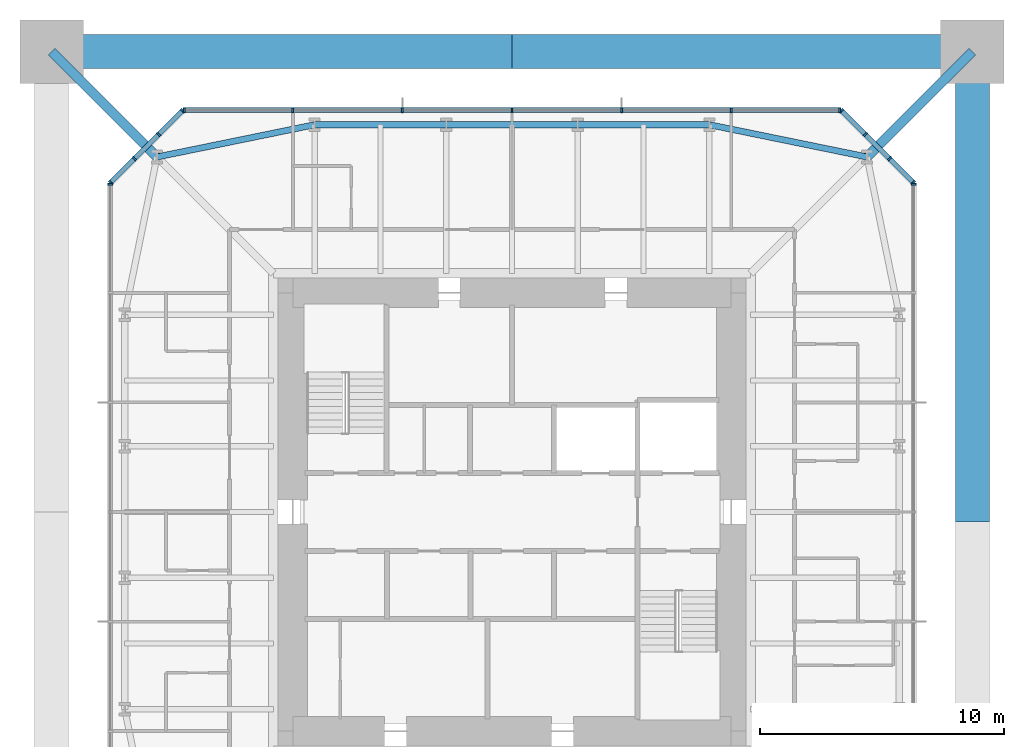
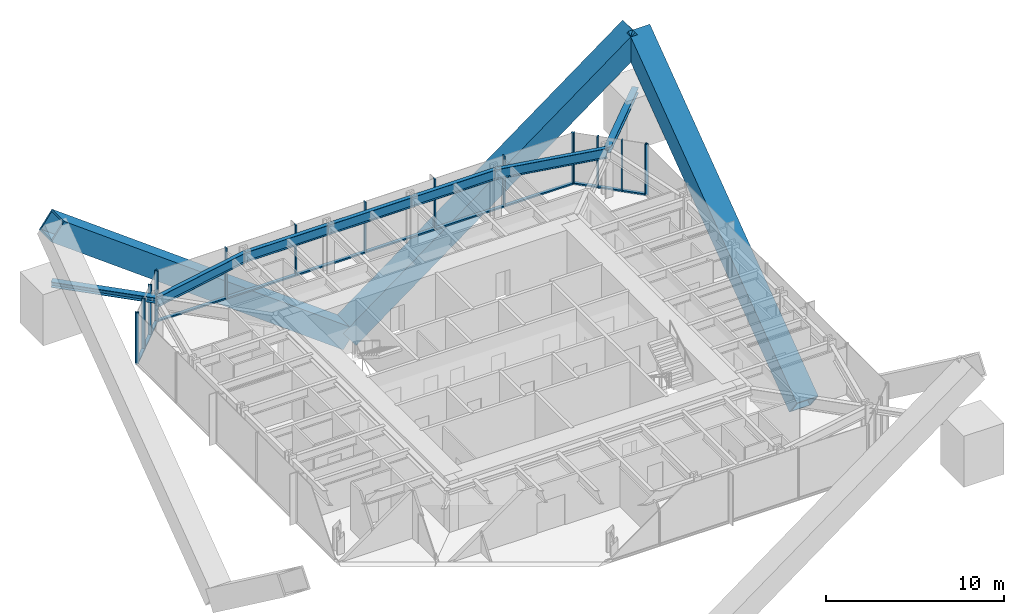
# One storey, part 5 of 10: 34 members, 5 beams, 5 elements without a shape of their own.
"""IFC4 building model written with IfcOpenShell, lengths in metres."""

from ifc_helpers import new_model, si_unit, direction, frame, origin, origin_2d, place, context, subcontext, project, spatial, rectangle, hollow_rectangle, i_section, extrude, material, material_profile, profile_set, type_object, element, aggregate, save


model = new_model("IFC4")

# Units and contexts
model_context = context("Model", 3, precision=1e-05, world=origin(), true_north=direction((0.0, 1.0)))
body_context = subcontext(model_context, "Body", "Model", "MODEL_VIEW")
ifc_project = project(units=[si_unit("LENGTHUNIT", "METRE"), si_unit("AREAUNIT", "SQUARE_METRE"), si_unit("VOLUMEUNIT", "CUBIC_METRE"), si_unit("PLANEANGLEUNIT", "RADIAN"), si_unit("MASSUNIT", "GRAM", prefix="KILO")], contexts=[model_context])

# Site, building, storey
site_placement = place(None, origin())
site = spatial("IfcSite", under=ifc_project, at=site_placement, CompositionType="ELEMENT")
building_placement = place(site_placement, origin())
building = spatial("IfcBuilding", under=site, at=building_placement, Name="Iwan Alto Co-Living Towers", CompositionType="ELEMENT")
storey_placement = place(building_placement, frame((0.0, 0.0, 260.5)))
storey = spatial("IfcBuildingStorey", under=building, at=storey_placement, Name="L71", CompositionType="ELEMENT", Elevation=260.5)

# Curtain wall, member
ifc_material_1 = material(Name="Bronze aluminium unitised frame", Category="aluminium")
curtain_wall_type_1 = type_object("IfcCurtainWallType", Name="CURTAIN WALL CW-A", PredefinedType="NOTDEFINED", material=ifc_material_1)
curtain_wall_1_placement = place(storey_placement, origin())
curtain_wall_1 = element("IfcCurtainWall", 1, at=curtain_wall_1_placement, inside=storey, type_object=curtain_wall_type_1, Name="T1 curtain wall E L71", PredefinedType="NOTDEFINED")
ifc_material_2 = material(Name="Aluminium 6063-T6 bronze anodised", Category="aluminium")
ifc_material_profile_1 = material_profile(ifc_material_2, rectangle(XDim=0.199951171875, YDim=0.080078125, at=origin_2d()), Name="AL 80X200")
ifc_profile_set_1 = profile_set([ifc_material_profile_1], Name="Aluminium 6063-T6 bronze anodised")
member_type_1 = type_object("IfcMemberType", Name="CW-A MULLION 80X200", PredefinedType="MULLION", material=ifc_profile_set_1)
member_1_placement = place(storey_placement, frame((16.5, 13.4599609375, 0.0), z_axis=(0.0, 0.0, 1.0), x_axis=(-1.0, 0.0, 0.0)))
member_1 = element("IfcMember", 2, at=member_1_placement, type_object=member_type_1, Name="CW-A mullion 7", PredefinedType="MULLION", context=body_context, shape_type="SweptSolid", body=[
    extrude(rectangle(XDim=0.199951171875, YDim=0.080078125, at=origin_2d()), origin(), (0.0, 0.0, 1.0), 3.5),
])
aggregate(curtain_wall_1, [member_1])

# Curtain wall, members
curtain_wall_2_placement = place(storey_placement, origin())
curtain_wall_2 = element("IfcCurtainWall", 3, at=curtain_wall_2_placement, inside=storey, type_object=curtain_wall_type_1, Name="T1 curtain wall N L71", PredefinedType="NOTDEFINED")
member_2_placement = place(storey_placement, frame((13.4599609375, 16.5, 0.0), z_axis=(0.0, 0.0, 1.0), x_axis=(0.0, -1.0, 0.0)))
member_2 = element("IfcMember", 4, at=member_2_placement, type_object=member_type_1, Name="CW-A mullion 1", PredefinedType="MULLION", context=body_context, shape_type="SweptSolid", body=[
    extrude(rectangle(XDim=0.199951171875, YDim=0.080078125, at=origin_2d()), origin(), (0.0, 0.0, 1.0), 3.5),
])
member_3_placement = place(storey_placement, frame((9.0, 16.5, 0.0), z_axis=(0.0, 0.0, 1.0), x_axis=(0.0, -1.0, 0.0)))
member_3 = element("IfcMember", 5, at=member_3_placement, type_object=member_type_1, Name="CW-A mullion 2", PredefinedType="MULLION", context=body_context, shape_type="SweptSolid", body=[
    extrude(rectangle(XDim=0.199951171875, YDim=0.080078125, at=origin_2d()), origin(), (0.0, 0.0, 1.0), 3.5),
])
member_4_placement = place(storey_placement, frame((4.5, 16.5, 0.0), z_axis=(0.0, 0.0, 1.0), x_axis=(0.0, -1.0, 0.0)))
member_4 = element("IfcMember", 6, at=member_4_placement, type_object=member_type_1, Name="CW-A mullion 3", PredefinedType="MULLION", context=body_context, shape_type="SweptSolid", body=[
    extrude(rectangle(XDim=0.199951171875, YDim=0.080078125, at=origin_2d()), origin(), (0.0, 0.0, 1.0), 3.5),
])
member_5_placement = place(storey_placement, frame((0.0, 16.5, 0.0), z_axis=(0.0, 0.0, 1.0), x_axis=(0.0, -1.0, 0.0)))
member_5 = element("IfcMember", 7, at=member_5_placement, type_object=member_type_1, Name="CW-A mullion 4", PredefinedType="MULLION", context=body_context, shape_type="SweptSolid", body=[
    extrude(rectangle(XDim=0.199951171875, YDim=0.080078125, at=origin_2d()), origin(), (0.0, 0.0, 1.0), 3.5),
])
member_6_placement = place(storey_placement, frame((-4.5, 16.5, 0.0), z_axis=(0.0, 0.0, 1.0), x_axis=(0.0, -1.0, 0.0)))
member_6 = element("IfcMember", 8, at=member_6_placement, type_object=member_type_1, Name="CW-A mullion 5", PredefinedType="MULLION", context=body_context, shape_type="SweptSolid", body=[
    extrude(rectangle(XDim=0.199951171875, YDim=0.080078125, at=origin_2d()), origin(), (0.0, 0.0, 1.0), 3.5),
])
member_7_placement = place(storey_placement, frame((-9.0, 16.5, 0.0), z_axis=(0.0, 0.0, 1.0), x_axis=(0.0, -1.0, 0.0)))
member_7 = element("IfcMember", 9, at=member_7_placement, type_object=member_type_1, Name="CW-A mullion 6", PredefinedType="MULLION", context=body_context, shape_type="SweptSolid", body=[
    extrude(rectangle(XDim=0.199951171875, YDim=0.080078125, at=origin_2d()), origin(), (0.0, 0.0, 1.0), 3.5),
])
member_8_placement = place(storey_placement, frame((-13.4599609375, 16.5, 0.0), z_axis=(0.0, 0.0, 1.0), x_axis=(0.0, -1.0, 0.0)))
member_8 = element("IfcMember", 10, at=member_8_placement, type_object=member_type_1, Name="CW-A mullion 7", PredefinedType="MULLION", context=body_context, shape_type="SweptSolid", body=[
    extrude(rectangle(XDim=0.199951171875, YDim=0.080078125, at=origin_2d()), origin(), (0.0, 0.0, 1.0), 3.5),
])

# Curtain wall, member
curtain_wall_3_placement = place(storey_placement, origin())
curtain_wall_3 = element("IfcCurtainWall", 11, at=curtain_wall_3_placement, inside=storey, type_object=curtain_wall_type_1, Name="T1 curtain wall W L71", PredefinedType="NOTDEFINED")
member_9_placement = place(storey_placement, frame((-16.5, 13.4599609375, 0.0), z_axis=(0.0, 0.0, 1.0), x_axis=(1.0, 0.0, 0.0)))
member_9 = element("IfcMember", 12, at=member_9_placement, type_object=member_type_1, Name="CW-A mullion 1", PredefinedType="MULLION", context=body_context, shape_type="SweptSolid", body=[
    extrude(rectangle(XDim=0.199951171875, YDim=0.080078125, at=origin_2d()), origin(), (0.0, 0.0, 1.0), 3.5),
])
aggregate(curtain_wall_3, [member_9])

# Member
ifc_material_3 = material(Name="Aluminium 6063-T6 bronze anodised", Category="aluminium")
ifc_material_profile_2 = material_profile(ifc_material_3, rectangle(XDim=0.199951171875, YDim=0.10009765625, at=origin_2d()), Name="AL 200X100")
ifc_profile_set_2 = profile_set([ifc_material_profile_2], Name="Aluminium 6063-T6 bronze anodised")
member_type_2 = type_object("IfcMemberType", Name="CW-A TRANSOM 200X100", PredefinedType="USERDEFINED", material=ifc_profile_set_2)
member_10_placement = place(storey_placement, frame((13.419921875, 16.5, 0.050048828125), z_axis=(-1.0, 0.0, 0.0), x_axis=(0.0, -1.0, 0.0)))
member_10 = element("IfcMember", 13, at=member_10_placement, type_object=member_type_2, Name="CW-A transom 1.1", ObjectType="TRANSOM", PredefinedType="USERDEFINED", context=body_context, shape_type="SweptSolid", body=[
    extrude(rectangle(XDim=0.199951171875, YDim=0.10009765625, at=origin_2d()), origin(), (0.0, 0.0, 1.0), 4.3798828125),
])

member_11_placement = place(storey_placement, frame((8.9599609375, 16.5, 0.050048828125), z_axis=(-1.0, 0.0, 0.0), x_axis=(0.0, -1.0, 0.0)))
member_11 = element("IfcMember", 14, at=member_11_placement, type_object=member_type_2, Name="CW-A transom 2.1", ObjectType="TRANSOM", PredefinedType="USERDEFINED", context=body_context, shape_type="SweptSolid", body=[
    extrude(rectangle(XDim=0.199951171875, YDim=0.10009765625, at=origin_2d()), origin(), (0.0, 0.0, 1.0), 4.419921875),
])

member_12_placement = place(storey_placement, frame((4.4599609375, 16.5, 0.050048828125), z_axis=(-1.0, 0.0, 0.0), x_axis=(0.0, -1.0, 0.0)))
member_12 = element("IfcMember", 15, at=member_12_placement, type_object=member_type_2, Name="CW-A transom 3.1", ObjectType="TRANSOM", PredefinedType="USERDEFINED", context=body_context, shape_type="SweptSolid", body=[
    extrude(rectangle(XDim=0.199951171875, YDim=0.10009765625, at=origin_2d()), origin(), (0.0, 0.0, 1.0), 4.419921875),
])

member_13_placement = place(storey_placement, frame((-0.0400390625, 16.5, 0.050048828125), z_axis=(-1.0, 0.0, 0.0), x_axis=(0.0, -1.0, 0.0)))
member_13 = element("IfcMember", 16, at=member_13_placement, type_object=member_type_2, Name="CW-A transom 4.1", ObjectType="TRANSOM", PredefinedType="USERDEFINED", context=body_context, shape_type="SweptSolid", body=[
    extrude(rectangle(XDim=0.199951171875, YDim=0.10009765625, at=origin_2d()), origin(), (0.0, 0.0, 1.0), 4.419921875),
])

member_14_placement = place(storey_placement, frame((-4.5400390625, 16.5, 0.050048828125), z_axis=(-1.0, 0.0, 0.0), x_axis=(0.0, -1.0, 0.0)))
member_14 = element("IfcMember", 17, at=member_14_placement, type_object=member_type_2, Name="CW-A transom 5.1", ObjectType="TRANSOM", PredefinedType="USERDEFINED", context=body_context, shape_type="SweptSolid", body=[
    extrude(rectangle(XDim=0.199951171875, YDim=0.10009765625, at=origin_2d()), origin(), (0.0, 0.0, 1.0), 4.419921875),
])

member_15_placement = place(storey_placement, frame((-9.0400390625, 16.5, 0.050048828125), z_axis=(-1.0, 0.0, 0.0), x_axis=(0.0, -1.0, 0.0)))
member_15 = element("IfcMember", 18, at=member_15_placement, type_object=member_type_2, Name="CW-A transom 6.1", ObjectType="TRANSOM", PredefinedType="USERDEFINED", context=body_context, shape_type="SweptSolid", body=[
    extrude(rectangle(XDim=0.199951171875, YDim=0.10009765625, at=origin_2d()), origin(), (0.0, 0.0, 1.0), 4.3798828125),
])

aggregate(curtain_wall_2, [member_2, member_3, member_4, member_5, member_6, member_7, member_8, member_10, member_11, member_12, member_13, member_14, member_15])

# Curtain wall, members
ifc_material_4 = material(Name="Bronze aluminium unitised frame", Category="aluminium")
curtain_wall_type_2 = type_object("IfcCurtainWallType", Name="CURTAIN WALL CW-B", PredefinedType="NOTDEFINED", material=ifc_material_4)
curtain_wall_4_placement = place(storey_placement, origin())
curtain_wall_4 = element("IfcCurtainWall", 19, at=curtain_wall_4_placement, inside=storey, type_object=curtain_wall_type_2, Name="T1 chamfer curtain wall NE L71", PredefinedType="NOTDEFINED")
ifc_material_5 = material(Name="Aluminium 6063-T6 bronze anodised", Category="aluminium")
ifc_material_profile_3 = material_profile(ifc_material_5, rectangle(XDim=0.199951171875, YDim=0.080078125, at=origin_2d()), Name="AL 80X200")
ifc_profile_set_3 = profile_set([ifc_material_profile_3], Name="Aluminium 6063-T6 bronze anodised")
member_type_3 = type_object("IfcMemberType", Name="CW-B MULLION 80X200", PredefinedType="MULLION", material=ifc_profile_set_3)
member_16_placement = place(storey_placement, frame((16.4716796875, 13.5283203125, 0.0), z_axis=(0.0, 0.0, 1.0), x_axis=(-0.707106781187, -0.707106781187, 0.0)))
member_16 = element("IfcMember", 20, at=member_16_placement, type_object=member_type_3, Name="CW-B mullion 1", PredefinedType="MULLION", context=body_context, shape_type="SweptSolid", body=[
    extrude(rectangle(XDim=0.199951171875, YDim=0.080078125, at=origin_2d()), origin(), (0.0, 0.0, 1.0), 3.5),
])
member_17_placement = place(storey_placement, frame((15.5, 14.5, 0.0), z_axis=(0.0, 0.0, 1.0), x_axis=(-0.707106781187, -0.707106781187, 0.0)))
member_17 = element("IfcMember", 21, at=member_17_placement, type_object=member_type_3, Name="CW-B mullion 2", PredefinedType="MULLION", context=body_context, shape_type="SweptSolid", body=[
    extrude(rectangle(XDim=0.199951171875, YDim=0.080078125, at=origin_2d()), origin(), (0.0, 0.0, 1.0), 3.5),
])
member_18_placement = place(storey_placement, frame((14.5, 15.5, 0.0), z_axis=(0.0, 0.0, 1.0), x_axis=(-0.707106781187, -0.707106781187, 0.0)))
member_18 = element("IfcMember", 22, at=member_18_placement, type_object=member_type_3, Name="CW-B mullion 3", PredefinedType="MULLION", context=body_context, shape_type="SweptSolid", body=[
    extrude(rectangle(XDim=0.199951171875, YDim=0.080078125, at=origin_2d()), origin(), (0.0, 0.0, 1.0), 3.5),
])
member_19_placement = place(storey_placement, frame((13.5283203125, 16.4716796875, 0.0), z_axis=(0.0, 0.0, 1.0), x_axis=(-0.707106781187, -0.707106781187, 0.0)))
member_19 = element("IfcMember", 23, at=member_19_placement, type_object=member_type_3, Name="CW-B mullion 4", PredefinedType="MULLION", context=body_context, shape_type="SweptSolid", body=[
    extrude(rectangle(XDim=0.199951171875, YDim=0.080078125, at=origin_2d()), origin(), (0.0, 0.0, 1.0), 3.5),
])

curtain_wall_5_placement = place(storey_placement, origin())
curtain_wall_5 = element("IfcCurtainWall", 24, at=curtain_wall_5_placement, inside=storey, type_object=curtain_wall_type_2, Name="T1 chamfer curtain wall NW L71", PredefinedType="NOTDEFINED")
member_20_placement = place(storey_placement, frame((-13.5283203125, 16.4716796875, 0.0), z_axis=(0.0, 0.0, 1.0), x_axis=(0.707106781187, -0.707106781187, 0.0)))
member_20 = element("IfcMember", 25, at=member_20_placement, type_object=member_type_3, Name="CW-B mullion 1", PredefinedType="MULLION", context=body_context, shape_type="SweptSolid", body=[
    extrude(rectangle(XDim=0.199951171875, YDim=0.080078125, at=origin_2d()), origin(), (0.0, 0.0, 1.0), 3.5),
])
member_21_placement = place(storey_placement, frame((-14.5, 15.5, 0.0), z_axis=(0.0, 0.0, 1.0), x_axis=(0.707106781187, -0.707106781187, 0.0)))
member_21 = element("IfcMember", 26, at=member_21_placement, type_object=member_type_3, Name="CW-B mullion 2", PredefinedType="MULLION", context=body_context, shape_type="SweptSolid", body=[
    extrude(rectangle(XDim=0.199951171875, YDim=0.080078125, at=origin_2d()), origin(), (0.0, 0.0, 1.0), 3.5),
])
member_22_placement = place(storey_placement, frame((-15.5, 14.5, 0.0), z_axis=(0.0, 0.0, 1.0), x_axis=(0.707106781187, -0.707106781187, 0.0)))
member_22 = element("IfcMember", 27, at=member_22_placement, type_object=member_type_3, Name="CW-B mullion 3", PredefinedType="MULLION", context=body_context, shape_type="SweptSolid", body=[
    extrude(rectangle(XDim=0.199951171875, YDim=0.080078125, at=origin_2d()), origin(), (0.0, 0.0, 1.0), 3.5),
])
member_23_placement = place(storey_placement, frame((-16.4716796875, 13.5283203125, 0.0), z_axis=(0.0, 0.0, 1.0), x_axis=(0.707106781187, -0.707106781187, 0.0)))
member_23 = element("IfcMember", 28, at=member_23_placement, type_object=member_type_3, Name="CW-B mullion 4", PredefinedType="MULLION", context=body_context, shape_type="SweptSolid", body=[
    extrude(rectangle(XDim=0.199951171875, YDim=0.080078125, at=origin_2d()), origin(), (0.0, 0.0, 1.0), 3.5),
])

# Member
ifc_material_6 = material(Name="Aluminium 6063-T6 bronze anodised", Category="aluminium")
ifc_material_profile_4 = material_profile(ifc_material_6, rectangle(XDim=0.199951171875, YDim=0.10009765625, at=origin_2d()), Name="AL 200X100")
ifc_profile_set_4 = profile_set([ifc_material_profile_4], Name="Aluminium 6063-T6 bronze anodised")
member_type_4 = type_object("IfcMemberType", Name="CW-B TRANSOM 200X100", PredefinedType="USERDEFINED", material=ifc_profile_set_4)
member_24_placement = place(storey_placement, frame((16.443359375, 13.556640625, 0.050048828125), z_axis=(-0.707106781187, 0.707106781187, 0.0), x_axis=(-0.707106781187, -0.707106781187, 0.0)))
member_24 = element("IfcMember", 29, at=member_24_placement, type_object=member_type_4, Name="CW-B transom 1.1", ObjectType="TRANSOM", PredefinedType="USERDEFINED", context=body_context, shape_type="SweptSolid", body=[
    extrude(rectangle(XDim=0.199951171875, YDim=0.10009765625, at=origin_2d()), origin(), (0.0, 0.0, 1.0), 1.2939453125),
])

member_25_placement = place(storey_placement, frame((15.4716796875, 14.5283203125, 0.050048828125), z_axis=(-0.707106781187, 0.707106781187, 0.0), x_axis=(-0.707106781187, -0.707106781187, 0.0)))
member_25 = element("IfcMember", 30, at=member_25_placement, type_object=member_type_4, Name="CW-B transom 2.1", ObjectType="TRANSOM", PredefinedType="USERDEFINED", context=body_context, shape_type="SweptSolid", body=[
    extrude(rectangle(XDim=0.199951171875, YDim=0.10009765625, at=origin_2d()), origin(), (0.0, 0.0, 1.0), 1.334228515625),
])

member_26_placement = place(storey_placement, frame((14.4716796875, 15.5283203125, 0.050048828125), z_axis=(-0.707106781187, 0.707106781187, 0.0), x_axis=(-0.707106781187, -0.707106781187, 0.0)))
member_26 = element("IfcMember", 31, at=member_26_placement, type_object=member_type_4, Name="CW-B transom 3.1", ObjectType="TRANSOM", PredefinedType="USERDEFINED", context=body_context, shape_type="SweptSolid", body=[
    extrude(rectangle(XDim=0.199951171875, YDim=0.10009765625, at=origin_2d()), origin(), (0.0, 0.0, 1.0), 1.2939453125),
])

aggregate(curtain_wall_4, [member_16, member_17, member_18, member_19, member_24, member_25, member_26])

member_27_placement = place(storey_placement, frame((-13.556640625, 16.443359375, 0.050048828125), z_axis=(-0.707106781187, -0.707106781187, 0.0), x_axis=(0.707106781187, -0.707106781187, 0.0)))
member_27 = element("IfcMember", 32, at=member_27_placement, type_object=member_type_4, Name="CW-B transom 1.1", ObjectType="TRANSOM", PredefinedType="USERDEFINED", context=body_context, shape_type="SweptSolid", body=[
    extrude(rectangle(XDim=0.199951171875, YDim=0.10009765625, at=origin_2d()), origin(), (0.0, 0.0, 1.0), 1.2939453125),
])

member_28_placement = place(storey_placement, frame((-14.5283203125, 15.4716796875, 0.050048828125), z_axis=(-0.707106781187, -0.707106781187, 0.0), x_axis=(0.707106781187, -0.707106781187, 0.0)))
member_28 = element("IfcMember", 33, at=member_28_placement, type_object=member_type_4, Name="CW-B transom 2.1", ObjectType="TRANSOM", PredefinedType="USERDEFINED", context=body_context, shape_type="SweptSolid", body=[
    extrude(rectangle(XDim=0.199951171875, YDim=0.10009765625, at=origin_2d()), origin(), (0.0, 0.0, 1.0), 1.334228515625),
])

member_29_placement = place(storey_placement, frame((-15.5283203125, 14.4716796875, 0.050048828125), z_axis=(-0.707106781187, -0.707106781187, 0.0), x_axis=(0.707106781187, -0.707106781187, 0.0)))
member_29 = element("IfcMember", 34, at=member_29_placement, type_object=member_type_4, Name="CW-B transom 3.1", ObjectType="TRANSOM", PredefinedType="USERDEFINED", context=body_context, shape_type="SweptSolid", body=[
    extrude(rectangle(XDim=0.199951171875, YDim=0.10009765625, at=origin_2d()), origin(), (0.0, 0.0, 1.0), 1.2939453125),
])

aggregate(curtain_wall_5, [member_20, member_21, member_22, member_23, member_27, member_28, member_29])

# Beams
ifc_material_7 = material(Name="Steel ASTM A992 Gr 50", Category="steel")
ifc_material_profile_5 = material_profile(ifc_material_7, i_section(OverallWidth=0.25390625, OverallDepth=0.683349609375, WebThickness=0.012451171875, FlangeThickness=0.018798828125, at=origin_2d()), Name="W27X94")
ifc_profile_set_5 = profile_set([ifc_material_profile_5], Name="Steel ASTM A992 Gr 50")
beam_type = type_object("IfcBeamType", Name="T1 EDGE BEAM W27X94", PredefinedType="BEAM", material=ifc_profile_set_5)
beam_1_placement = place(storey_placement, frame((14.57568359375, 14.57568359375, 2.928466796875), z_axis=(-0.979724820103, 0.200347889618, 0.0), x_axis=(-0.200347889618, -0.979724820103, 0.0)))
element("IfcBeam", 35, at=beam_1_placement, inside=storey, type_object=beam_type, Name="T1 edge beam CNE L72", PredefinedType="BEAM", context=body_context, shape_type="SweptSolid", body=[
    extrude(i_section(OverallWidth=0.25390625, OverallDepth=0.683349609375, WebThickness=0.012451171875, FlangeThickness=0.018798828125, at=origin_2d()), origin(), (0.0, 0.0, 1.0), 6.609619140625),
])
beam_2_placement = place(storey_placement, frame((8.10009765625, 15.89990234375, 2.928466796875), z_axis=(-1.0, 0.0, 0.0), x_axis=(0.0, -1.0, 0.0)))
element("IfcBeam", 36, at=beam_2_placement, inside=storey, type_object=beam_type, Name="T1 edge beam N1 L72", PredefinedType="BEAM", context=body_context, shape_type="SweptSolid", body=[
    extrude(i_section(OverallWidth=0.25390625, OverallDepth=0.683349609375, WebThickness=0.012451171875, FlangeThickness=0.018798828125, at=origin_2d()), origin(), (0.0, 0.0, 1.0), 5.400146484375),
])
beam_3_placement = place(storey_placement, frame((2.699951171875, 15.89990234375, 2.928466796875), z_axis=(-1.0, 0.0, 0.0), x_axis=(0.0, -1.0, 0.0)))
element("IfcBeam", 37, at=beam_3_placement, inside=storey, type_object=beam_type, Name="T1 edge beam N2 L72", PredefinedType="BEAM", context=body_context, shape_type="SweptSolid", body=[
    extrude(i_section(OverallWidth=0.25390625, OverallDepth=0.683349609375, WebThickness=0.012451171875, FlangeThickness=0.018798828125, at=origin_2d()), origin(), (0.0, 0.0, 1.0), 5.39990234375),
])
beam_4_placement = place(storey_placement, frame((-2.699951171875, 15.89990234375, 2.928466796875), z_axis=(-1.0, 0.0, 0.0), x_axis=(0.0, -1.0, 0.0)))
element("IfcBeam", 38, at=beam_4_placement, inside=storey, type_object=beam_type, Name="T1 edge beam N3 L72", PredefinedType="BEAM", context=body_context, shape_type="SweptSolid", body=[
    extrude(i_section(OverallWidth=0.25390625, OverallDepth=0.683349609375, WebThickness=0.012451171875, FlangeThickness=0.018798828125, at=origin_2d()), origin(), (0.0, 0.0, 1.0), 5.400146484375),
])
beam_5_placement = place(storey_placement, frame((-8.10009765625, 15.89990234375, 2.928466796875), z_axis=(-0.979724820103, -0.200347889618, 0.0), x_axis=(0.200347889618, -0.979724820103, 0.0)))
element("IfcBeam", 39, at=beam_5_placement, inside=storey, type_object=beam_type, Name="T1 edge beam N4 L72", PredefinedType="BEAM", context=body_context, shape_type="SweptSolid", body=[
    extrude(i_section(OverallWidth=0.25390625, OverallDepth=0.683349609375, WebThickness=0.012451171875, FlangeThickness=0.018798828125, at=origin_2d()), origin(), (0.0, 0.0, 1.0), 6.609619140625),
])

# Members
ifc_material_8 = material(Name="Steel ASTM A572 Gr 50", Category="steel")
ifc_material_profile_6 = material_profile(ifc_material_8, hollow_rectangle(XDim=1.39990234375, YDim=1.39990234375, WallThickness=0.10009765625, at=origin_2d()), Name="BOX 1400X1400X100")
ifc_profile_set_6 = profile_set([ifc_material_profile_6], Name="Steel ASTM A572 Gr 50")
member_type_5 = type_object("IfcMemberType", Name="T1 MEGA BRACE BOX 1400X1400X100", PredefinedType="BRACE", material=ifc_profile_set_6)
for number, where, z_axis, x_axis, name in (
    (40, (18.89990234375, 0.0, -7.0), (0.0, 0.803555722309, 0.595229536519), (-1.0, 0.0, 0.0), "T1 mega brace Z4B E 1 upper"),
    (41, (0.0, 18.89990234375, -7.0), (-0.803555722309, 0.0, 0.595229536519), (0.0, -1.0, 0.0), "T1 mega brace Z4B N 1 upper"),
    (42, (0.0, 18.89990234375, -7.0), (0.803555722309, 0.0, 0.595229536519), (0.0, 1.0, 0.0), "T1 mega brace Z4B N 2 upper"),
):
    element("IfcMember", number, at=place(storey_placement, frame(where, z_axis=z_axis, x_axis=x_axis)), inside=storey, type_object=member_type_5, Name=name, PredefinedType="BRACE", context=body_context, shape_type="SweptSolid", body=[
        extrude(hollow_rectangle(XDim=1.39990234375, YDim=1.39990234375, WallThickness=0.10009765625, at=origin_2d()), origin(), (0.0, 0.0, 1.0), 23.520263671875),
    ])
ifc_material_9 = material(Name="Steel ASTM A992 Gr 50", Category="steel")
ifc_material_profile_7 = material_profile(ifc_material_9, i_section(OverallWidth=0.393798828125, OverallDepth=0.3759765625, WebThickness=0.017333984375, FlangeThickness=0.027587890625, at=origin_2d()), Name="W14X145")
ifc_profile_set_7 = profile_set([ifc_material_profile_7], Name="Steel ASTM A992 Gr 50")
member_type_6 = type_object("IfcMemberType", Name="T1 MEGA COLUMN FLOOR TIE W14X145", PredefinedType="STRUT", material=ifc_profile_set_7)
for number, where, z_axis, x_axis, name in (
    (43, (18.89990234375, 18.89990234375, 3.08203125), (-0.707106781187, -0.707106781187, 0.0), (0.707106781187, -0.707106781187, 0.0), "T1 mega column floor tie NE L72"),
    (44, (-18.89990234375, 18.89990234375, 3.08203125), (0.707106781187, -0.707106781187, 0.0), (0.707106781187, 0.707106781187, 0.0), "T1 mega column floor tie NW L72"),
):
    element("IfcMember", number, at=place(storey_placement, frame(where, z_axis=z_axis, x_axis=x_axis)), inside=storey, type_object=member_type_6, Name=name, PredefinedType="STRUT", context=body_context, shape_type="SweptSolid", body=[
        extrude(i_section(OverallWidth=0.393798828125, OverallDepth=0.3759765625, WebThickness=0.017333984375, FlangeThickness=0.027587890625, at=origin_2d()), origin(), (0.0, 0.0, 1.0), 6.115478515625),
    ])

save(model, "model.ifc")
